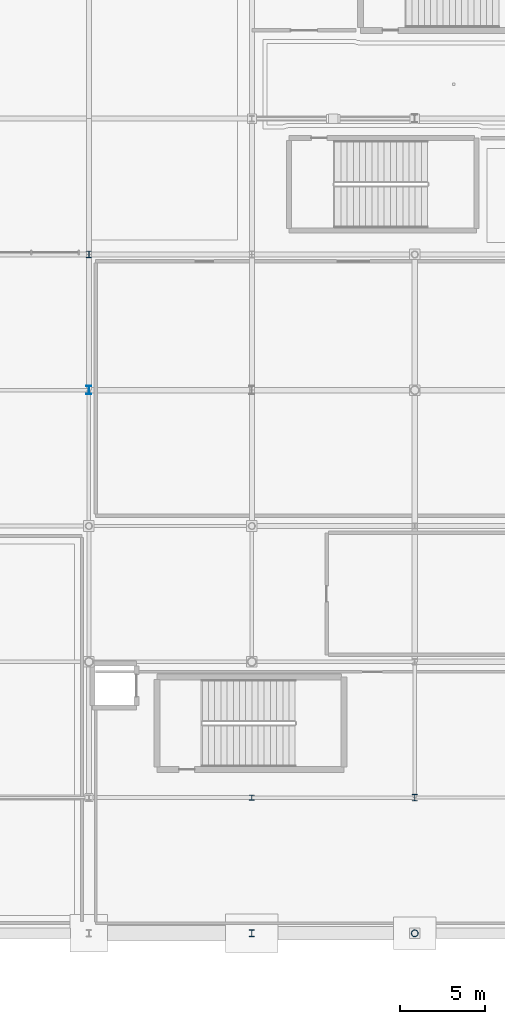
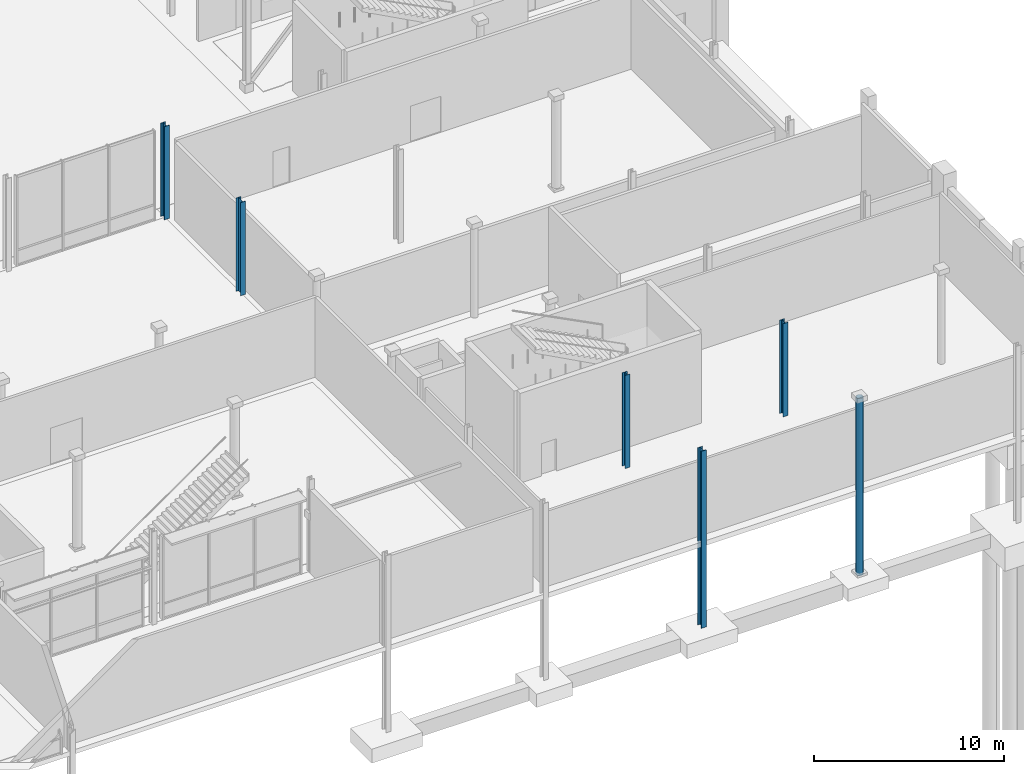
# One storey, part 20 of 124: 6 columns.
"""IFC4 building model written with IfcOpenShell, lengths in metres."""

from ifc_helpers import new_model, si_unit, direction, frame, origin, origin_2d, place, context, subcontext, project, spatial, hollow_circle, i_section, extrude, material, material_profile, profile_set, type_object, element, save


model = new_model("IFC4")

# Units and contexts
model_context = context("Model", 3, precision=1e-05, world=origin(), true_north=direction((0.0, 1.0)))
body_context = subcontext(model_context, "Body", "Model", "MODEL_VIEW")
ifc_project = project(units=[si_unit("LENGTHUNIT", "METRE"), si_unit("AREAUNIT", "SQUARE_METRE"), si_unit("VOLUMEUNIT", "CUBIC_METRE"), si_unit("PLANEANGLEUNIT", "RADIAN"), si_unit("MASSUNIT", "GRAM", prefix="KILO")], contexts=[model_context])

# Site, building, storey
site_placement = place(None, origin())
site = spatial("IfcSite", under=ifc_project, at=site_placement, CompositionType="ELEMENT")
building_placement = place(site_placement, origin())
building = spatial("IfcBuilding", under=site, at=building_placement, Name="Danafjord Basin Convention Centre", CompositionType="ELEMENT")
storey_placement = place(building_placement, origin())
storey = spatial("IfcBuildingStorey", under=building, at=storey_placement, Name="L00", CompositionType="ELEMENT", Elevation=0.0)

# Columns
ifc_material = material(Name="Steel S355", Category="steel")
ifc_material_profile_1 = material_profile(ifc_material, hollow_circle(Radius=0.203125, WallThickness=0.02001953125, at=origin_2d()), Name="CHS 406.4x20.0")
ifc_profile_set_1 = profile_set([ifc_material_profile_1], Name="Steel S355")
column_type_1 = type_object("IfcColumnType", Name="COL-C-CHS406", PredefinedType="COLUMN", material=ifc_profile_set_1)
column_1_placement = place(storey_placement, frame((201.60009765625, 0.0, -5.39990234375), z_axis=(0.0, 0.0, 1.0), x_axis=(1.0, 0.0, 0.0)))
element("IfcColumn", 1, at=column_1_placement, inside=storey, type_object=column_type_1, Name="L00 column C-CHS406 at (201.6, 0.0)", PredefinedType="COLUMN", context=body_context, shape_type="SweptSolid", body=[
    extrude(hollow_circle(Radius=0.203125, WallThickness=0.02001953125, at=origin_2d()), origin(), (0.0, 0.0, 1.0), 11.39990234375),
])
ifc_material_profile_2 = material_profile(ifc_material, i_section(OverallWidth=0.300048828125, OverallDepth=0.300048828125, WebThickness=0.010986328125, FlangeThickness=0.01904296875, FilletRadius=0.027099609375, at=origin_2d()), Name="HEB 300")
ifc_profile_set_2 = profile_set([ifc_material_profile_2], Name="Steel S355")
column_type_2 = type_object("IfcColumnType", Name="COL-C-HEB300", PredefinedType="COLUMN", material=ifc_profile_set_2)
column_2_placement = place(storey_placement, frame((192.0, 8.0, 0.0), z_axis=(0.0, 0.0, 1.0), x_axis=(1.0, 0.0, 0.0)))
element("IfcColumn", 2, at=column_2_placement, inside=storey, type_object=column_type_2, Name="L00 column C-HEB300 at (192.0, 8.0)", PredefinedType="COLUMN", context=body_context, shape_type="SweptSolid", body=[
    extrude(i_section(OverallWidth=0.300048828125, OverallDepth=0.300048828125, WebThickness=0.010986328125, FlangeThickness=0.01904296875, FilletRadius=0.027099609375, at=origin_2d()), origin(), (0.0, 0.0, 1.0), 6.0),
])
ifc_material_profile_3 = material_profile(ifc_material, i_section(OverallWidth=0.300048828125, OverallDepth=0.39990234375, WebThickness=0.013427734375, FlangeThickness=0.02392578125, FilletRadius=0.027099609375, at=origin_2d()), Name="HEB 400")
ifc_profile_set_3 = profile_set([ifc_material_profile_3], Name="Steel S355")
column_type_3 = type_object("IfcColumnType", Name="COL-C-HEB400", PredefinedType="COLUMN", material=ifc_profile_set_3)
column_3_placement = place(storey_placement, frame((182.39990234375, 40.0, 0.0), z_axis=(0.0, 0.0, 1.0), x_axis=(1.0, 0.0, 0.0)))
element("IfcColumn", 3, at=column_3_placement, inside=storey, type_object=column_type_3, Name="L00 column C-HEB400 at (182.4, 40.0)", PredefinedType="COLUMN", context=body_context, shape_type="SweptSolid", body=[
    extrude(i_section(OverallWidth=0.300048828125, OverallDepth=0.39990234375, WebThickness=0.013427734375, FlangeThickness=0.02392578125, FilletRadius=0.027099609375, at=origin_2d()), origin(), (0.0, 0.0, 1.0), 6.0),
])
column_4_placement = place(storey_placement, frame((192.0, 0.0, -5.39990234375), z_axis=(0.0, 0.0, 1.0), x_axis=(1.0, 0.0, 0.0)))
element("IfcColumn", 4, at=column_4_placement, inside=storey, type_object=column_type_3, Name="L00 column C-HEB400 at (192.0, 0.0)", PredefinedType="COLUMN", context=body_context, shape_type="SweptSolid", body=[
    extrude(i_section(OverallWidth=0.300048828125, OverallDepth=0.39990234375, WebThickness=0.013427734375, FlangeThickness=0.02392578125, FilletRadius=0.027099609375, at=origin_2d()), origin(), (0.0, 0.0, 1.0), 11.39990234375),
])
column_5_placement = place(storey_placement, frame((201.60009765625, 8.0, 0.0), z_axis=(0.0, 0.0, 1.0), x_axis=(1.0, 0.0, 0.0)))
element("IfcColumn", 5, at=column_5_placement, inside=storey, type_object=column_type_3, Name="L00 column C-HEB400 at (201.6, 8.0)", PredefinedType="COLUMN", context=body_context, shape_type="SweptSolid", body=[
    extrude(i_section(OverallWidth=0.300048828125, OverallDepth=0.39990234375, WebThickness=0.013427734375, FlangeThickness=0.02392578125, FilletRadius=0.027099609375, at=origin_2d()), origin(), (0.0, 0.0, 1.0), 6.0),
])
ifc_material_profile_4 = material_profile(ifc_material, i_section(OverallWidth=0.300048828125, OverallDepth=0.5, WebThickness=0.014404296875, FlangeThickness=0.028076171875, FilletRadius=0.027099609375, at=origin_2d()), Name="HEB 500")
ifc_profile_set_4 = profile_set([ifc_material_profile_4], Name="Steel S355")
column_type_4 = type_object("IfcColumnType", Name="COL-C-HEB500", PredefinedType="COLUMN", material=ifc_profile_set_4)
column_6_placement = place(storey_placement, frame((182.39990234375, 32.0, 0.0), z_axis=(0.0, 0.0, 1.0), x_axis=(1.0, 0.0, 0.0)))
element("IfcColumn", 6, at=column_6_placement, inside=storey, type_object=column_type_4, Name="L00 column C-HEB500 at (182.4, 32.0)", PredefinedType="COLUMN", context=body_context, shape_type="SweptSolid", body=[
    extrude(i_section(OverallWidth=0.300048828125, OverallDepth=0.5, WebThickness=0.014404296875, FlangeThickness=0.028076171875, FilletRadius=0.027099609375, at=origin_2d()), origin(), (0.0, 0.0, 1.0), 6.0),
])

save(model, "model.ifc")
